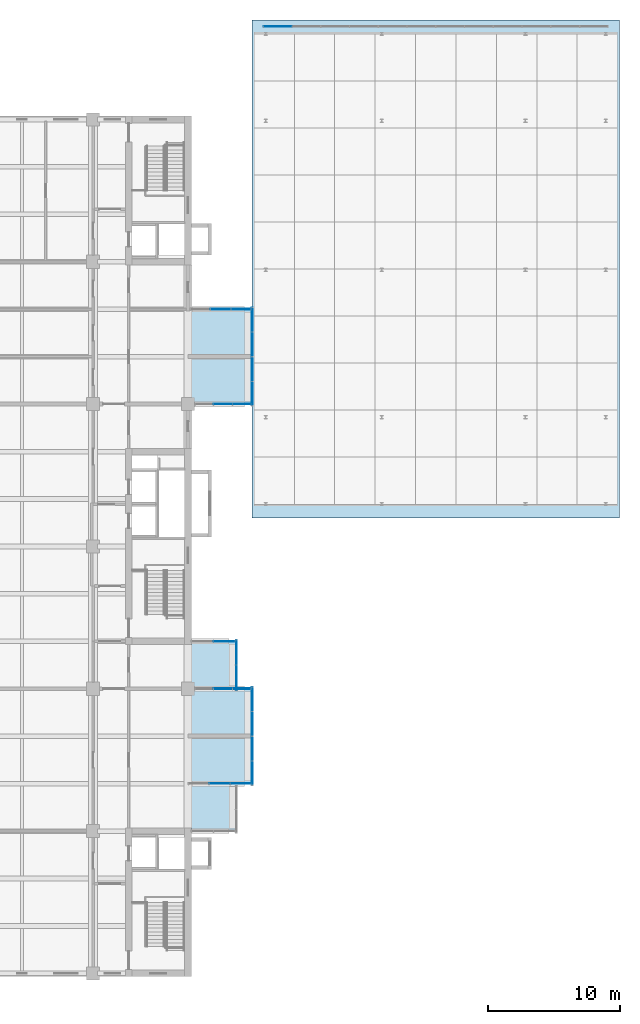
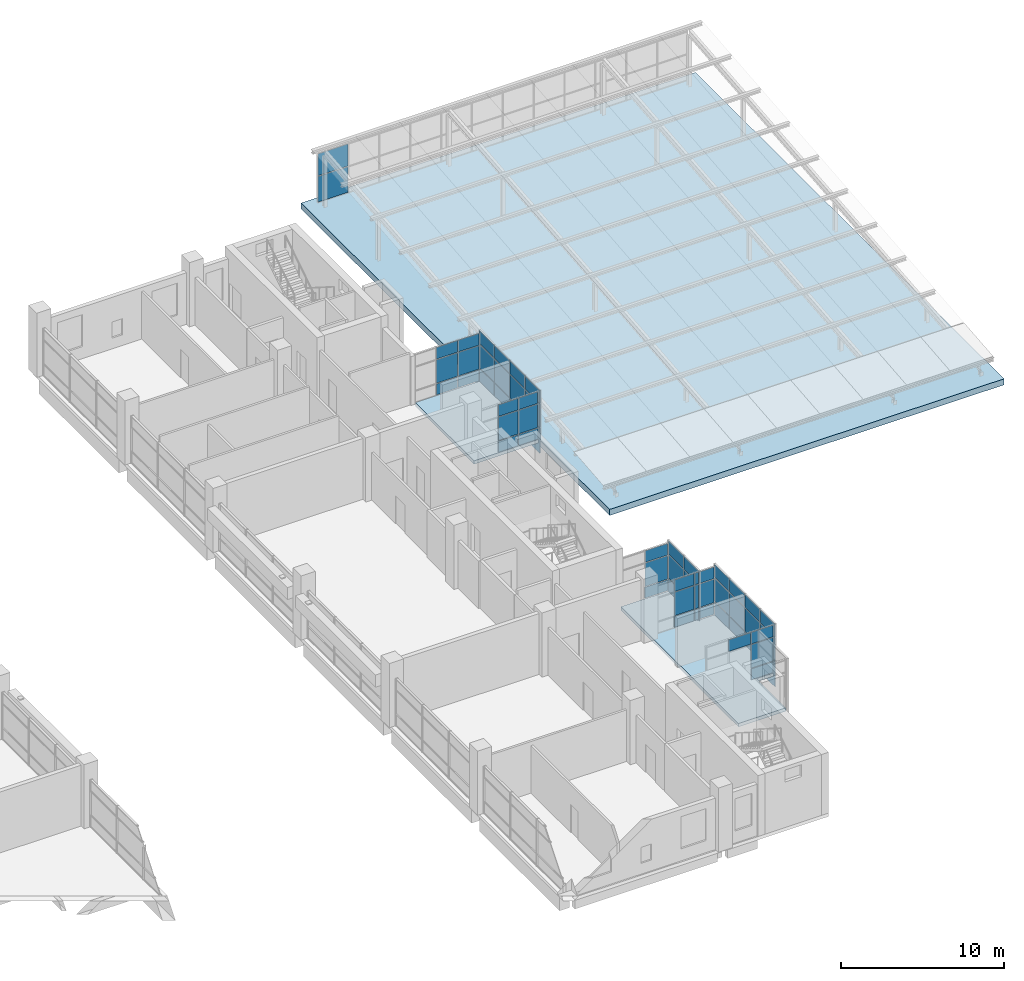
# One storey, part 33 of 44: 57 plates, 3 slabs, 9 elements without a shape of their own.
"""IFC4 building model written with IfcOpenShell, lengths in metres."""

from ifc_helpers import new_model, si_unit, direction, frame, origin, origin_2d, place, context, subcontext, project, spatial, polyline, rectangle, outline, extrude, material, layer, layer_set, type_object, element, aggregate, save


model = new_model("IFC4")

# Units and contexts
model_context = context("Model", 3, precision=1e-05, world=origin(), true_north=direction((0.0, 1.0)))
body_context = subcontext(model_context, "Body", "Model", "MODEL_VIEW")
ifc_project = project(units=[si_unit("LENGTHUNIT", "METRE"), si_unit("AREAUNIT", "SQUARE_METRE"), si_unit("VOLUMEUNIT", "CUBIC_METRE"), si_unit("PLANEANGLEUNIT", "RADIAN"), si_unit("MASSUNIT", "GRAM", prefix="KILO")], contexts=[model_context])

# Site, building, storey
site_placement = place(None, origin())
site = spatial("IfcSite", under=ifc_project, at=site_placement, CompositionType="ELEMENT")
building_placement = place(site_placement, origin())
building = spatial("IfcBuilding", under=site, at=building_placement, Name="Basin Gate Institute", CompositionType="ELEMENT")
storey_placement = place(building_placement, frame((0.0, 0.0, 27.0)))
storey = spatial("IfcBuildingStorey", under=building, at=storey_placement, Name="L05", CompositionType="ELEMENT", Elevation=27.0)

# Curtain wall, plates
ifc_material_1 = material(Name="Aluminium and glass curtain wall", Category="aluminium")
ifc_layer_1 = layer(ifc_material_1, 0.14990234375)
ifc_layer_set_1 = layer_set([ifc_layer_1], Name="Atrium curtain wall CW81")
curtain_wall_type_1 = type_object("IfcCurtainWallType", Name="Atrium curtain wall CW81", PredefinedType="NOTDEFINED", material=ifc_layer_set_1)
curtain_wall_1_placement = place(storey_placement, origin())
curtain_wall_1 = element("IfcCurtainWall", 1, at=curtain_wall_1_placement, inside=storey, type_object=curtain_wall_type_1, material=ifc_layer_set_1, Name="Clean block north clerestory glazing", PredefinedType="NOTDEFINED")
ifc_material_2 = material(Name="Toughened glass", Category="glass")
ifc_layer_2 = layer(ifc_material_2, 0.028076171875)
ifc_layer_set_2 = layer_set([ifc_layer_2], Name="Atrium glass panel PN81")
plate_type_1 = type_object("IfcPlateType", Name="Atrium glass panel PN81", PredefinedType="CURTAIN_PANEL", material=ifc_layer_set_2)
plate_1_placement = place(storey_placement, frame((125.606689453125, 106.949951171875, 0.06005859375), z_axis=(0.0, 0.0, 1.0), x_axis=(1.0, 0.0, 0.0)))
plate_1 = element("IfcPlate", 2, at=plate_1_placement, type_object=plate_type_1, material=ifc_layer_set_2, Name="CW81 panel 1.1", PredefinedType="CURTAIN_PANEL", context=body_context, shape_type="SweptSolid", body=[
    extrude(rectangle(XDim=2.09326171875, YDim=0.028076171875, at=origin_2d()), origin(), (0.0, 0.0, 1.0), 1.909912109375),
])
plate_2_placement = place(storey_placement, frame((125.606689453125, 106.949951171875, 2.030029296875), z_axis=(0.0, 0.0, 1.0), x_axis=(1.0, 0.0, 0.0)))
plate_2 = element("IfcPlate", 3, at=plate_2_placement, type_object=plate_type_1, material=ifc_layer_set_2, Name="CW81 panel 1.2", PredefinedType="CURTAIN_PANEL", context=body_context, shape_type="SweptSolid", body=[
    extrude(rectangle(XDim=2.09326171875, YDim=0.028076171875, at=origin_2d()), origin(), (0.0, 0.0, 1.0), 1.6396484375),
])
aggregate(curtain_wall_1, [plate_1, plate_2])

# Slabs
ifc_material_3 = material(Name="Concrete 40 MPa", Category="concrete")
ifc_layer_3 = layer(ifc_material_3, 0.449951171875)
ifc_layer_set_3 = layer_set([ifc_layer_3], Name="Concrete 40 MPa")
slab_type_1 = type_object("IfcSlabType", Name="Slab RS81 R120", PredefinedType="ROOF", material=ifc_layer_set_3)
slab_1_placement = place(storey_placement, frame((0.0, 0.0, -0.449951171875)))
element("IfcSlab", 4, at=slab_1_placement, inside=storey, type_object=slab_type_1, material=ifc_layer_set_3, Name="Clean block roof slab R120 L05", PredefinedType="ROOF", context=body_context, shape_type="SweptSolid", body=[
    extrude(outline(polyline([(123.64990234375, 69.64990234375), (151.550048828125, 69.64990234375), (151.550048828125, 107.449951171875), (123.64990234375, 107.449951171875), (123.64990234375, 69.64990234375)])), origin(), (0.0, 0.0, 1.0), 0.449951171875),
])
ifc_material_4 = material(Name="Concrete 40 MPa", Category="concrete")
ifc_layer_4 = layer(ifc_material_4, 0.25)
ifc_layer_set_4 = layer_set([ifc_layer_4], Name="Concrete 40 MPa")
slab_type_2 = type_object("IfcSlabType", Name="Slab SL4 R120", PredefinedType="FLOOR", material=ifc_layer_set_4)
slab_2_placement = place(storey_placement, frame((0.0, 0.0, -0.25)))
element("IfcSlab", 5, at=slab_2_placement, inside=storey, type_object=slab_type_2, material=ifc_layer_set_4, Name="SLAB/L05/EK11", PredefinedType="FLOOR", context=body_context, shape_type="SweptSolid", body=[
    extrude(outline(polyline([(119.050048828125, 45.89990234375), (119.050048828125, 60.300048828125), (122.39990234375, 60.300048828125), (122.39990234375, 56.699951171875), (123.60009765625, 56.699951171875), (123.60009765625, 49.5), (122.39990234375, 49.5), (122.39990234375, 45.89990234375), (119.050048828125, 45.89990234375)])), origin(), (0.0, 0.0, 1.0), 0.25),
])
slab_3_placement = place(storey_placement, frame((0.0, 0.0, -0.25)))
element("IfcSlab", 6, at=slab_3_placement, inside=storey, type_object=slab_type_2, material=ifc_layer_set_4, Name="SLAB/L05/EK22", PredefinedType="FLOOR", context=body_context, shape_type="SweptSolid", body=[
    extrude(outline(polyline([(123.60009765625, 78.300048828125), (119.050048828125, 78.300048828125), (119.050048828125, 85.5), (123.60009765625, 85.5), (123.60009765625, 78.300048828125)])), origin(), (0.0, 0.0, 1.0), 0.25),
])

# Curtain wall, plate
ifc_material_5 = material(Name="Aluminium-framed glazing", Category="aluminium")
ifc_layer_5 = layer(ifc_material_5, 0.14990234375)
ifc_layer_set_5 = layer_set([ifc_layer_5], Name="Capsule front curtain wall CW1")
curtain_wall_type_2 = type_object("IfcCurtainWallType", Name="Capsule front curtain wall CW1", PredefinedType="NOTDEFINED", material=ifc_layer_set_5)
curtain_wall_2_placement = place(storey_placement, origin())
curtain_wall_2 = element("IfcCurtainWall", 7, at=curtain_wall_2_placement, inside=storey, type_object=curtain_wall_type_2, material=ifc_layer_set_5, Name="Capsule front curtain wall E wing capsule end L05 line 5", PredefinedType="NOTDEFINED")
ifc_material_6 = material(Name="Aluminium insulated spandrel panel", Category="aluminium")
ifc_layer_6 = layer(ifc_material_6, 0.050048828125)
ifc_layer_set_6 = layer_set([ifc_layer_6], Name="Spandrel panel PN2")
plate_type_2 = type_object("IfcPlateType", Name="Spandrel panel PN2", PredefinedType="CURTAIN_PANEL", material=ifc_layer_set_6)
plate_3_placement = place(storey_placement, frame((122.78759765625, 49.5, 0.06005859375), z_axis=(0.0, 0.0, 1.0), x_axis=(-1.0, 0.0, 0.0)))
plate_3 = element("IfcPlate", 8, at=plate_3_placement, type_object=plate_type_2, material=ifc_layer_set_6, Name="CW1 spandrel panel 1.1", PredefinedType="CURTAIN_PANEL", context=body_context, shape_type="SweptSolid", body=[
    extrude(rectangle(XDim=1.52490234375, YDim=0.050048828125, at=origin_2d()), origin(), (0.0, 0.0, 1.0), 0.81005859375),
])

# Curtain wall, plates
curtain_wall_3_placement = place(storey_placement, origin())
curtain_wall_3 = element("IfcCurtainWall", 9, at=curtain_wall_3_placement, inside=storey, type_object=curtain_wall_type_2, material=ifc_layer_set_5, Name="Capsule front curtain wall E wing capsule end L05 line 7", PredefinedType="NOTDEFINED")
plate_4_placement = place(storey_placement, frame((122.870849609375, 56.699951171875, 0.06005859375), z_axis=(0.0, 0.0, 1.0), x_axis=(-1.0, 0.0, 0.0)))
plate_4 = element("IfcPlate", 10, at=plate_4_placement, type_object=plate_type_2, material=ifc_layer_set_6, Name="CW1 spandrel panel 1.1", PredefinedType="CURTAIN_PANEL", context=body_context, shape_type="SweptSolid", body=[
    extrude(rectangle(XDim=1.3583984375, YDim=0.050048828125, at=origin_2d()), origin(), (0.0, 0.0, 1.0), 0.81005859375),
])
plate_5_placement = place(storey_placement, frame((121.449951171875, 56.699951171875, 0.06005859375), z_axis=(0.0, 0.0, 1.0), x_axis=(-1.0, 0.0, 0.0)))
plate_5 = element("IfcPlate", 11, at=plate_5_placement, type_object=plate_type_2, material=ifc_layer_set_6, Name="CW1 spandrel panel 2.1", PredefinedType="CURTAIN_PANEL", context=body_context, shape_type="SweptSolid", body=[
    extrude(rectangle(XDim=1.38330078125, YDim=0.050048828125, at=origin_2d()), origin(), (0.0, 0.0, 1.0), 0.81005859375),
])

# Curtain wall, plate
curtain_wall_4_placement = place(storey_placement, origin())
curtain_wall_4 = element("IfcCurtainWall", 12, at=curtain_wall_4_placement, inside=storey, type_object=curtain_wall_type_2, material=ifc_layer_set_5, Name="Capsule front curtain wall E wing capsule end L05 line 8", PredefinedType="NOTDEFINED")
plate_6_placement = place(storey_placement, frame((121.550048828125, 60.300048828125, 0.06005859375), z_axis=(0.0, 0.0, 1.0), x_axis=(-1.0, 0.0, 0.0)))
plate_6 = element("IfcPlate", 13, at=plate_6_placement, type_object=plate_type_2, material=ifc_layer_set_6, Name="CW1 spandrel panel 1.1", PredefinedType="CURTAIN_PANEL", context=body_context, shape_type="SweptSolid", body=[
    extrude(rectangle(XDim=1.60009765625, YDim=0.050048828125, at=origin_2d()), origin(), (0.0, 0.0, 1.0), 0.81005859375),
])

# Curtain wall, plates
curtain_wall_5_placement = place(storey_placement, origin())
curtain_wall_5 = element("IfcCurtainWall", 14, at=curtain_wall_5_placement, inside=storey, type_object=curtain_wall_type_2, material=ifc_layer_set_5, Name="Capsule front curtain wall E wing capsule end L05 line 13", PredefinedType="NOTDEFINED")
plate_7_placement = place(storey_placement, frame((122.870849609375, 78.300048828125, 0.06005859375), z_axis=(0.0, 0.0, 1.0), x_axis=(-1.0, 0.0, 0.0)))
plate_7 = element("IfcPlate", 15, at=plate_7_placement, type_object=plate_type_2, material=ifc_layer_set_6, Name="CW1 spandrel panel 1.1", PredefinedType="CURTAIN_PANEL", context=body_context, shape_type="SweptSolid", body=[
    extrude(rectangle(XDim=1.3583984375, YDim=0.050048828125, at=origin_2d()), origin(), (0.0, 0.0, 1.0), 0.81005859375),
])
plate_8_placement = place(storey_placement, frame((121.449951171875, 78.300048828125, 0.06005859375), z_axis=(0.0, 0.0, 1.0), x_axis=(-1.0, 0.0, 0.0)))
plate_8 = element("IfcPlate", 16, at=plate_8_placement, type_object=plate_type_2, material=ifc_layer_set_6, Name="CW1 spandrel panel 2.1", PredefinedType="CURTAIN_PANEL", context=body_context, shape_type="SweptSolid", body=[
    extrude(rectangle(XDim=1.38330078125, YDim=0.050048828125, at=origin_2d()), origin(), (0.0, 0.0, 1.0), 0.81005859375),
])

curtain_wall_6_placement = place(storey_placement, origin())
curtain_wall_6 = element("IfcCurtainWall", 17, at=curtain_wall_6_placement, inside=storey, type_object=curtain_wall_type_2, material=ifc_layer_set_5, Name="Capsule front curtain wall E wing capsule end L05 line 15", PredefinedType="NOTDEFINED")
plate_9_placement = place(storey_placement, frame((122.8125, 85.5, 0.06005859375), z_axis=(0.0, 0.0, 1.0), x_axis=(-1.0, 0.0, 0.0)))
plate_9 = element("IfcPlate", 18, at=plate_9_placement, type_object=plate_type_2, material=ifc_layer_set_6, Name="CW1 spandrel panel 1.1", PredefinedType="CURTAIN_PANEL", context=body_context, shape_type="SweptSolid", body=[
    extrude(rectangle(XDim=1.47509765625, YDim=0.050048828125, at=origin_2d()), origin(), (0.0, 0.0, 1.0), 0.81005859375),
])
plate_10_placement = place(storey_placement, frame((121.27490234375, 85.5, 0.06005859375), z_axis=(0.0, 0.0, 1.0), x_axis=(-1.0, 0.0, 0.0)))
plate_10 = element("IfcPlate", 19, at=plate_10_placement, type_object=plate_type_2, material=ifc_layer_set_6, Name="CW1 spandrel panel 2.1", PredefinedType="CURTAIN_PANEL", context=body_context, shape_type="SweptSolid", body=[
    extrude(rectangle(XDim=1.5, YDim=0.050048828125, at=origin_2d()), origin(), (0.0, 0.0, 1.0), 0.81005859375),
])

curtain_wall_7_placement = place(storey_placement, origin())
curtain_wall_7 = element("IfcCurtainWall", 20, at=curtain_wall_7_placement, inside=storey, type_object=curtain_wall_type_2, material=ifc_layer_set_5, Name="Capsule front curtain wall E wing capsule 1 L05 front 2", PredefinedType="NOTDEFINED")
plate_11_placement = place(storey_placement, frame((123.675048828125, 50.300048828125, -0.990234375), z_axis=(0.0, 0.0, 1.0), x_axis=(0.0, 1.0, 0.0)))
plate_11 = element("IfcPlate", 21, at=plate_11_placement, type_object=plate_type_2, material=ifc_layer_set_6, Name="CW1 spandrel panel 1.1", PredefinedType="CURTAIN_PANEL", context=body_context, shape_type="SweptSolid", body=[
    extrude(rectangle(XDim=1.800048828125, YDim=0.050048828125, at=origin_2d()), origin(), (0.0, 0.0, 1.0), 1.860107421875),
])
plate_12_placement = place(storey_placement, frame((123.675048828125, 52.16259765625, -0.990234375), z_axis=(0.0, 0.0, 1.0), x_axis=(0.0, 1.0, 0.0)))
plate_12 = element("IfcPlate", 22, at=plate_12_placement, type_object=plate_type_2, material=ifc_layer_set_6, Name="CW1 spandrel panel 2.1", PredefinedType="CURTAIN_PANEL", context=body_context, shape_type="SweptSolid", body=[
    extrude(rectangle(XDim=1.824951171875, YDim=0.050048828125, at=origin_2d()), origin(), (0.0, 0.0, 1.0), 1.860107421875),
])
plate_13_placement = place(storey_placement, frame((123.675048828125, 54.03759765625, -0.990234375), z_axis=(0.0, 0.0, 1.0), x_axis=(0.0, 1.0, 0.0)))
plate_13 = element("IfcPlate", 23, at=plate_13_placement, type_object=plate_type_2, material=ifc_layer_set_6, Name="CW1 spandrel panel 3.1", PredefinedType="CURTAIN_PANEL", context=body_context, shape_type="SweptSolid", body=[
    extrude(rectangle(XDim=1.824951171875, YDim=0.050048828125, at=origin_2d()), origin(), (0.0, 0.0, 1.0), 1.860107421875),
])
plate_14_placement = place(storey_placement, frame((123.675048828125, 55.89990234375, -0.990234375), z_axis=(0.0, 0.0, 1.0), x_axis=(0.0, 1.0, 0.0)))
plate_14 = element("IfcPlate", 24, at=plate_14_placement, type_object=plate_type_2, material=ifc_layer_set_6, Name="CW1 spandrel panel 4.1", PredefinedType="CURTAIN_PANEL", context=body_context, shape_type="SweptSolid", body=[
    extrude(rectangle(XDim=1.800048828125, YDim=0.050048828125, at=origin_2d()), origin(), (0.0, 0.0, 1.0), 1.860107421875),
])

curtain_wall_8_placement = place(storey_placement, origin())
curtain_wall_8 = element("IfcCurtainWall", 25, at=curtain_wall_8_placement, inside=storey, type_object=curtain_wall_type_2, material=ifc_layer_set_5, Name="Capsule front curtain wall E wing capsule 1 L05 front 4", PredefinedType="NOTDEFINED")
plate_15_placement = place(storey_placement, frame((122.47509765625, 57.53759765625, -0.990234375), z_axis=(0.0, 0.0, 1.0), x_axis=(0.0, 1.0, 0.0)))
plate_15 = element("IfcPlate", 26, at=plate_15_placement, type_object=plate_type_2, material=ifc_layer_set_6, Name="CW1 spandrel panel 1.1", PredefinedType="CURTAIN_PANEL", context=body_context, shape_type="SweptSolid", body=[
    extrude(rectangle(XDim=1.875, YDim=0.050048828125, at=origin_2d()), origin(), (0.0, 0.0, 1.0), 1.860107421875),
])
plate_16_placement = place(storey_placement, frame((122.47509765625, 59.46240234375, -0.990234375), z_axis=(0.0, 0.0, 1.0), x_axis=(0.0, 1.0, 0.0)))
plate_16 = element("IfcPlate", 27, at=plate_16_placement, type_object=plate_type_2, material=ifc_layer_set_6, Name="CW1 spandrel panel 2.1", PredefinedType="CURTAIN_PANEL", context=body_context, shape_type="SweptSolid", body=[
    extrude(rectangle(XDim=1.875, YDim=0.050048828125, at=origin_2d()), origin(), (0.0, 0.0, 1.0), 1.860107421875),
])

curtain_wall_9_placement = place(storey_placement, origin())
curtain_wall_9 = element("IfcCurtainWall", 28, at=curtain_wall_9_placement, inside=storey, type_object=curtain_wall_type_2, material=ifc_layer_set_5, Name="Capsule front curtain wall E wing capsule 2 L05 front 2", PredefinedType="NOTDEFINED")
plate_17_placement = place(storey_placement, frame((123.675048828125, 79.10009765625, -0.990234375), z_axis=(0.0, 0.0, 1.0), x_axis=(0.0, 1.0, 0.0)))
plate_17 = element("IfcPlate", 29, at=plate_17_placement, type_object=plate_type_2, material=ifc_layer_set_6, Name="CW1 spandrel panel 1.1", PredefinedType="CURTAIN_PANEL", context=body_context, shape_type="SweptSolid", body=[
    extrude(rectangle(XDim=1.800048828125, YDim=0.050048828125, at=origin_2d()), origin(), (0.0, 0.0, 1.0), 1.860107421875),
])
plate_18_placement = place(storey_placement, frame((123.675048828125, 80.96240234375, -0.990234375), z_axis=(0.0, 0.0, 1.0), x_axis=(0.0, 1.0, 0.0)))
plate_18 = element("IfcPlate", 30, at=plate_18_placement, type_object=plate_type_2, material=ifc_layer_set_6, Name="CW1 spandrel panel 2.1", PredefinedType="CURTAIN_PANEL", context=body_context, shape_type="SweptSolid", body=[
    extrude(rectangle(XDim=1.824951171875, YDim=0.050048828125, at=origin_2d()), origin(), (0.0, 0.0, 1.0), 1.860107421875),
])
plate_19_placement = place(storey_placement, frame((123.675048828125, 82.83740234375, -0.990234375), z_axis=(0.0, 0.0, 1.0), x_axis=(0.0, 1.0, 0.0)))
plate_19 = element("IfcPlate", 31, at=plate_19_placement, type_object=plate_type_2, material=ifc_layer_set_6, Name="CW1 spandrel panel 3.1", PredefinedType="CURTAIN_PANEL", context=body_context, shape_type="SweptSolid", body=[
    extrude(rectangle(XDim=1.824951171875, YDim=0.050048828125, at=origin_2d()), origin(), (0.0, 0.0, 1.0), 1.860107421875),
])
plate_20_placement = place(storey_placement, frame((123.675048828125, 84.699951171875, -0.990234375), z_axis=(0.0, 0.0, 1.0), x_axis=(0.0, 1.0, 0.0)))
plate_20 = element("IfcPlate", 32, at=plate_20_placement, type_object=plate_type_2, material=ifc_layer_set_6, Name="CW1 spandrel panel 4.1", PredefinedType="CURTAIN_PANEL", context=body_context, shape_type="SweptSolid", body=[
    extrude(rectangle(XDim=1.800048828125, YDim=0.050048828125, at=origin_2d()), origin(), (0.0, 0.0, 1.0), 1.860107421875),
])

# Plate
ifc_material_7 = material(Name="Double glazed unit")
ifc_layer_7 = layer(ifc_material_7, 0.028076171875)
ifc_layer_set_7 = layer_set([ifc_layer_7], Name="Vision panel PN1")
plate_type_3 = type_object("IfcPlateType", Name="Vision panel PN1", PredefinedType="CURTAIN_PANEL", material=ifc_layer_set_7)
plate_21_placement = place(storey_placement, frame((122.78759765625, 49.5, 0.93017578125), z_axis=(0.0, 0.0, 1.0), x_axis=(-1.0, 0.0, 0.0)))
plate_21 = element("IfcPlate", 33, at=plate_21_placement, type_object=plate_type_3, material=ifc_layer_set_7, Name="CW1 vision panel 1.2", PredefinedType="CURTAIN_PANEL", context=body_context, shape_type="SweptSolid", body=[
    extrude(rectangle(XDim=1.52490234375, YDim=0.028076171875, at=origin_2d()), origin(), (0.0, 0.0, 1.0), 1.739990234375),
])

plate_22_placement = place(storey_placement, frame((122.78759765625, 49.5, 2.72998046875), z_axis=(0.0, 0.0, 1.0), x_axis=(-1.0, 0.0, 0.0)))
plate_22 = element("IfcPlate", 34, at=plate_22_placement, type_object=plate_type_3, material=ifc_layer_set_7, Name="CW1 vision panel 1.3", PredefinedType="CURTAIN_PANEL", context=body_context, shape_type="SweptSolid", body=[
    extrude(rectangle(XDim=1.52490234375, YDim=0.028076171875, at=origin_2d()), origin(), (0.0, 0.0, 1.0), 0.860107421875),
])

plate_23_placement = place(storey_placement, frame((121.199951171875, 49.5, 2.72998046875), z_axis=(0.0, 0.0, 1.0), x_axis=(-1.0, 0.0, 0.0)))
plate_23 = element("IfcPlate", 35, at=plate_23_placement, type_object=plate_type_3, material=ifc_layer_set_7, Name="CW1 vision panel 2.3", PredefinedType="CURTAIN_PANEL", context=body_context, shape_type="SweptSolid", body=[
    extrude(rectangle(XDim=1.550048828125, YDim=0.028076171875, at=origin_2d()), origin(), (0.0, 0.0, 1.0), 0.860107421875),
])

aggregate(curtain_wall_2, [plate_3, plate_21, plate_22, plate_23])

plate_24_placement = place(storey_placement, frame((122.870849609375, 56.699951171875, 0.93017578125), z_axis=(0.0, 0.0, 1.0), x_axis=(-1.0, 0.0, 0.0)))
plate_24 = element("IfcPlate", 36, at=plate_24_placement, type_object=plate_type_3, material=ifc_layer_set_7, Name="CW1 vision panel 1.2", PredefinedType="CURTAIN_PANEL", context=body_context, shape_type="SweptSolid", body=[
    extrude(rectangle(XDim=1.3583984375, YDim=0.028076171875, at=origin_2d()), origin(), (0.0, 0.0, 1.0), 1.739990234375),
])

plate_25_placement = place(storey_placement, frame((122.870849609375, 56.699951171875, 2.72998046875), z_axis=(0.0, 0.0, 1.0), x_axis=(-1.0, 0.0, 0.0)))
plate_25 = element("IfcPlate", 37, at=plate_25_placement, type_object=plate_type_3, material=ifc_layer_set_7, Name="CW1 vision panel 1.3", PredefinedType="CURTAIN_PANEL", context=body_context, shape_type="SweptSolid", body=[
    extrude(rectangle(XDim=1.3583984375, YDim=0.028076171875, at=origin_2d()), origin(), (0.0, 0.0, 1.0), 0.860107421875),
])

plate_26_placement = place(storey_placement, frame((121.449951171875, 56.699951171875, 0.93017578125), z_axis=(0.0, 0.0, 1.0), x_axis=(-1.0, 0.0, 0.0)))
plate_26 = element("IfcPlate", 38, at=plate_26_placement, type_object=plate_type_3, material=ifc_layer_set_7, Name="CW1 vision panel 2.2", PredefinedType="CURTAIN_PANEL", context=body_context, shape_type="SweptSolid", body=[
    extrude(rectangle(XDim=1.38330078125, YDim=0.028076171875, at=origin_2d()), origin(), (0.0, 0.0, 1.0), 1.739990234375),
])

plate_27_placement = place(storey_placement, frame((121.449951171875, 56.699951171875, 2.72998046875), z_axis=(0.0, 0.0, 1.0), x_axis=(-1.0, 0.0, 0.0)))
plate_27 = element("IfcPlate", 39, at=plate_27_placement, type_object=plate_type_3, material=ifc_layer_set_7, Name="CW1 vision panel 2.3", PredefinedType="CURTAIN_PANEL", context=body_context, shape_type="SweptSolid", body=[
    extrude(rectangle(XDim=1.38330078125, YDim=0.028076171875, at=origin_2d()), origin(), (0.0, 0.0, 1.0), 0.860107421875),
])

aggregate(curtain_wall_3, [plate_4, plate_24, plate_25, plate_5, plate_26, plate_27])

plate_28_placement = place(storey_placement, frame((121.550048828125, 60.300048828125, 0.93017578125), z_axis=(0.0, 0.0, 1.0), x_axis=(-1.0, 0.0, 0.0)))
plate_28 = element("IfcPlate", 40, at=plate_28_placement, type_object=plate_type_3, material=ifc_layer_set_7, Name="CW1 vision panel 1.2", PredefinedType="CURTAIN_PANEL", context=body_context, shape_type="SweptSolid", body=[
    extrude(rectangle(XDim=1.60009765625, YDim=0.028076171875, at=origin_2d()), origin(), (0.0, 0.0, 1.0), 1.739990234375),
])

plate_29_placement = place(storey_placement, frame((121.550048828125, 60.300048828125, 2.72998046875), z_axis=(0.0, 0.0, 1.0), x_axis=(-1.0, 0.0, 0.0)))
plate_29 = element("IfcPlate", 41, at=plate_29_placement, type_object=plate_type_3, material=ifc_layer_set_7, Name="CW1 vision panel 1.3", PredefinedType="CURTAIN_PANEL", context=body_context, shape_type="SweptSolid", body=[
    extrude(rectangle(XDim=1.60009765625, YDim=0.028076171875, at=origin_2d()), origin(), (0.0, 0.0, 1.0), 0.860107421875),
])

aggregate(curtain_wall_4, [plate_6, plate_28, plate_29])

plate_30_placement = place(storey_placement, frame((122.870849609375, 78.300048828125, 0.93017578125), z_axis=(0.0, 0.0, 1.0), x_axis=(-1.0, 0.0, 0.0)))
plate_30 = element("IfcPlate", 42, at=plate_30_placement, type_object=plate_type_3, material=ifc_layer_set_7, Name="CW1 vision panel 1.2", PredefinedType="CURTAIN_PANEL", context=body_context, shape_type="SweptSolid", body=[
    extrude(rectangle(XDim=1.3583984375, YDim=0.028076171875, at=origin_2d()), origin(), (0.0, 0.0, 1.0), 1.739990234375),
])

plate_31_placement = place(storey_placement, frame((122.870849609375, 78.300048828125, 2.72998046875), z_axis=(0.0, 0.0, 1.0), x_axis=(-1.0, 0.0, 0.0)))
plate_31 = element("IfcPlate", 43, at=plate_31_placement, type_object=plate_type_3, material=ifc_layer_set_7, Name="CW1 vision panel 1.3", PredefinedType="CURTAIN_PANEL", context=body_context, shape_type="SweptSolid", body=[
    extrude(rectangle(XDim=1.3583984375, YDim=0.028076171875, at=origin_2d()), origin(), (0.0, 0.0, 1.0), 0.860107421875),
])

plate_32_placement = place(storey_placement, frame((121.449951171875, 78.300048828125, 0.93017578125), z_axis=(0.0, 0.0, 1.0), x_axis=(-1.0, 0.0, 0.0)))
plate_32 = element("IfcPlate", 44, at=plate_32_placement, type_object=plate_type_3, material=ifc_layer_set_7, Name="CW1 vision panel 2.2", PredefinedType="CURTAIN_PANEL", context=body_context, shape_type="SweptSolid", body=[
    extrude(rectangle(XDim=1.38330078125, YDim=0.028076171875, at=origin_2d()), origin(), (0.0, 0.0, 1.0), 1.739990234375),
])

plate_33_placement = place(storey_placement, frame((121.449951171875, 78.300048828125, 2.72998046875), z_axis=(0.0, 0.0, 1.0), x_axis=(-1.0, 0.0, 0.0)))
plate_33 = element("IfcPlate", 45, at=plate_33_placement, type_object=plate_type_3, material=ifc_layer_set_7, Name="CW1 vision panel 2.3", PredefinedType="CURTAIN_PANEL", context=body_context, shape_type="SweptSolid", body=[
    extrude(rectangle(XDim=1.38330078125, YDim=0.028076171875, at=origin_2d()), origin(), (0.0, 0.0, 1.0), 0.860107421875),
])

aggregate(curtain_wall_5, [plate_7, plate_30, plate_31, plate_8, plate_32, plate_33])

plate_34_placement = place(storey_placement, frame((122.8125, 85.5, 0.93017578125), z_axis=(0.0, 0.0, 1.0), x_axis=(-1.0, 0.0, 0.0)))
plate_34 = element("IfcPlate", 46, at=plate_34_placement, type_object=plate_type_3, material=ifc_layer_set_7, Name="CW1 vision panel 1.2", PredefinedType="CURTAIN_PANEL", context=body_context, shape_type="SweptSolid", body=[
    extrude(rectangle(XDim=1.47509765625, YDim=0.028076171875, at=origin_2d()), origin(), (0.0, 0.0, 1.0), 1.739990234375),
])

plate_35_placement = place(storey_placement, frame((122.8125, 85.5, 2.72998046875), z_axis=(0.0, 0.0, 1.0), x_axis=(-1.0, 0.0, 0.0)))
plate_35 = element("IfcPlate", 47, at=plate_35_placement, type_object=plate_type_3, material=ifc_layer_set_7, Name="CW1 vision panel 1.3", PredefinedType="CURTAIN_PANEL", context=body_context, shape_type="SweptSolid", body=[
    extrude(rectangle(XDim=1.47509765625, YDim=0.028076171875, at=origin_2d()), origin(), (0.0, 0.0, 1.0), 0.860107421875),
])

plate_36_placement = place(storey_placement, frame((121.27490234375, 85.5, 0.93017578125), z_axis=(0.0, 0.0, 1.0), x_axis=(-1.0, 0.0, 0.0)))
plate_36 = element("IfcPlate", 48, at=plate_36_placement, type_object=plate_type_3, material=ifc_layer_set_7, Name="CW1 vision panel 2.2", PredefinedType="CURTAIN_PANEL", context=body_context, shape_type="SweptSolid", body=[
    extrude(rectangle(XDim=1.5, YDim=0.028076171875, at=origin_2d()), origin(), (0.0, 0.0, 1.0), 1.739990234375),
])

plate_37_placement = place(storey_placement, frame((121.27490234375, 85.5, 2.72998046875), z_axis=(0.0, 0.0, 1.0), x_axis=(-1.0, 0.0, 0.0)))
plate_37 = element("IfcPlate", 49, at=plate_37_placement, type_object=plate_type_3, material=ifc_layer_set_7, Name="CW1 vision panel 2.3", PredefinedType="CURTAIN_PANEL", context=body_context, shape_type="SweptSolid", body=[
    extrude(rectangle(XDim=1.5, YDim=0.028076171875, at=origin_2d()), origin(), (0.0, 0.0, 1.0), 0.860107421875),
])

aggregate(curtain_wall_6, [plate_9, plate_34, plate_35, plate_10, plate_36, plate_37])

plate_38_placement = place(storey_placement, frame((123.675048828125, 50.300048828125, 0.93017578125), z_axis=(0.0, 0.0, 1.0), x_axis=(0.0, 1.0, 0.0)))
plate_38 = element("IfcPlate", 50, at=plate_38_placement, type_object=plate_type_3, material=ifc_layer_set_7, Name="CW1 vision panel 1.2", PredefinedType="CURTAIN_PANEL", context=body_context, shape_type="SweptSolid", body=[
    extrude(rectangle(XDim=1.800048828125, YDim=0.028076171875, at=origin_2d()), origin(), (0.0, 0.0, 1.0), 1.739990234375),
])

plate_39_placement = place(storey_placement, frame((123.675048828125, 50.300048828125, 2.72998046875), z_axis=(0.0, 0.0, 1.0), x_axis=(0.0, 1.0, 0.0)))
plate_39 = element("IfcPlate", 51, at=plate_39_placement, type_object=plate_type_3, material=ifc_layer_set_7, Name="CW1 vision panel 1.3", PredefinedType="CURTAIN_PANEL", context=body_context, shape_type="SweptSolid", body=[
    extrude(rectangle(XDim=1.800048828125, YDim=0.028076171875, at=origin_2d()), origin(), (0.0, 0.0, 1.0), 0.9599609375),
])

plate_40_placement = place(storey_placement, frame((123.675048828125, 52.16259765625, 0.93017578125), z_axis=(0.0, 0.0, 1.0), x_axis=(0.0, 1.0, 0.0)))
plate_40 = element("IfcPlate", 52, at=plate_40_placement, type_object=plate_type_3, material=ifc_layer_set_7, Name="CW1 vision panel 2.2", PredefinedType="CURTAIN_PANEL", context=body_context, shape_type="SweptSolid", body=[
    extrude(rectangle(XDim=1.824951171875, YDim=0.028076171875, at=origin_2d()), origin(), (0.0, 0.0, 1.0), 1.739990234375),
])

plate_41_placement = place(storey_placement, frame((123.675048828125, 52.16259765625, 2.72998046875), z_axis=(0.0, 0.0, 1.0), x_axis=(0.0, 1.0, 0.0)))
plate_41 = element("IfcPlate", 53, at=plate_41_placement, type_object=plate_type_3, material=ifc_layer_set_7, Name="CW1 vision panel 2.3", PredefinedType="CURTAIN_PANEL", context=body_context, shape_type="SweptSolid", body=[
    extrude(rectangle(XDim=1.824951171875, YDim=0.028076171875, at=origin_2d()), origin(), (0.0, 0.0, 1.0), 0.9599609375),
])

plate_42_placement = place(storey_placement, frame((123.675048828125, 54.03759765625, 0.93017578125), z_axis=(0.0, 0.0, 1.0), x_axis=(0.0, 1.0, 0.0)))
plate_42 = element("IfcPlate", 54, at=plate_42_placement, type_object=plate_type_3, material=ifc_layer_set_7, Name="CW1 vision panel 3.2", PredefinedType="CURTAIN_PANEL", context=body_context, shape_type="SweptSolid", body=[
    extrude(rectangle(XDim=1.824951171875, YDim=0.028076171875, at=origin_2d()), origin(), (0.0, 0.0, 1.0), 1.739990234375),
])

plate_43_placement = place(storey_placement, frame((123.675048828125, 54.03759765625, 2.72998046875), z_axis=(0.0, 0.0, 1.0), x_axis=(0.0, 1.0, 0.0)))
plate_43 = element("IfcPlate", 55, at=plate_43_placement, type_object=plate_type_3, material=ifc_layer_set_7, Name="CW1 vision panel 3.3", PredefinedType="CURTAIN_PANEL", context=body_context, shape_type="SweptSolid", body=[
    extrude(rectangle(XDim=1.824951171875, YDim=0.028076171875, at=origin_2d()), origin(), (0.0, 0.0, 1.0), 0.9599609375),
])

plate_44_placement = place(storey_placement, frame((123.675048828125, 55.89990234375, 0.93017578125), z_axis=(0.0, 0.0, 1.0), x_axis=(0.0, 1.0, 0.0)))
plate_44 = element("IfcPlate", 56, at=plate_44_placement, type_object=plate_type_3, material=ifc_layer_set_7, Name="CW1 vision panel 4.2", PredefinedType="CURTAIN_PANEL", context=body_context, shape_type="SweptSolid", body=[
    extrude(rectangle(XDim=1.800048828125, YDim=0.028076171875, at=origin_2d()), origin(), (0.0, 0.0, 1.0), 1.739990234375),
])

plate_45_placement = place(storey_placement, frame((123.675048828125, 55.89990234375, 2.72998046875), z_axis=(0.0, 0.0, 1.0), x_axis=(0.0, 1.0, 0.0)))
plate_45 = element("IfcPlate", 57, at=plate_45_placement, type_object=plate_type_3, material=ifc_layer_set_7, Name="CW1 vision panel 4.3", PredefinedType="CURTAIN_PANEL", context=body_context, shape_type="SweptSolid", body=[
    extrude(rectangle(XDim=1.800048828125, YDim=0.028076171875, at=origin_2d()), origin(), (0.0, 0.0, 1.0), 0.9599609375),
])

aggregate(curtain_wall_7, [plate_11, plate_38, plate_39, plate_12, plate_40, plate_41, plate_13, plate_42, plate_43, plate_14, plate_44, plate_45])

plate_46_placement = place(storey_placement, frame((122.47509765625, 57.53759765625, 0.93017578125), z_axis=(0.0, 0.0, 1.0), x_axis=(0.0, 1.0, 0.0)))
plate_46 = element("IfcPlate", 58, at=plate_46_placement, type_object=plate_type_3, material=ifc_layer_set_7, Name="CW1 vision panel 1.2", PredefinedType="CURTAIN_PANEL", context=body_context, shape_type="SweptSolid", body=[
    extrude(rectangle(XDim=1.875, YDim=0.028076171875, at=origin_2d()), origin(), (0.0, 0.0, 1.0), 1.739990234375),
])

plate_47_placement = place(storey_placement, frame((122.47509765625, 57.53759765625, 2.72998046875), z_axis=(0.0, 0.0, 1.0), x_axis=(0.0, 1.0, 0.0)))
plate_47 = element("IfcPlate", 59, at=plate_47_placement, type_object=plate_type_3, material=ifc_layer_set_7, Name="CW1 vision panel 1.3", PredefinedType="CURTAIN_PANEL", context=body_context, shape_type="SweptSolid", body=[
    extrude(rectangle(XDim=1.875, YDim=0.028076171875, at=origin_2d()), origin(), (0.0, 0.0, 1.0), 0.9599609375),
])

plate_48_placement = place(storey_placement, frame((122.47509765625, 59.46240234375, 0.93017578125), z_axis=(0.0, 0.0, 1.0), x_axis=(0.0, 1.0, 0.0)))
plate_48 = element("IfcPlate", 60, at=plate_48_placement, type_object=plate_type_3, material=ifc_layer_set_7, Name="CW1 vision panel 2.2", PredefinedType="CURTAIN_PANEL", context=body_context, shape_type="SweptSolid", body=[
    extrude(rectangle(XDim=1.875, YDim=0.028076171875, at=origin_2d()), origin(), (0.0, 0.0, 1.0), 1.739990234375),
])

plate_49_placement = place(storey_placement, frame((122.47509765625, 59.46240234375, 2.72998046875), z_axis=(0.0, 0.0, 1.0), x_axis=(0.0, 1.0, 0.0)))
plate_49 = element("IfcPlate", 61, at=plate_49_placement, type_object=plate_type_3, material=ifc_layer_set_7, Name="CW1 vision panel 2.3", PredefinedType="CURTAIN_PANEL", context=body_context, shape_type="SweptSolid", body=[
    extrude(rectangle(XDim=1.875, YDim=0.028076171875, at=origin_2d()), origin(), (0.0, 0.0, 1.0), 0.9599609375),
])

aggregate(curtain_wall_8, [plate_15, plate_46, plate_47, plate_16, plate_48, plate_49])

plate_50_placement = place(storey_placement, frame((123.675048828125, 79.10009765625, 0.93017578125), z_axis=(0.0, 0.0, 1.0), x_axis=(0.0, 1.0, 0.0)))
plate_50 = element("IfcPlate", 62, at=plate_50_placement, type_object=plate_type_3, material=ifc_layer_set_7, Name="CW1 vision panel 1.2", PredefinedType="CURTAIN_PANEL", context=body_context, shape_type="SweptSolid", body=[
    extrude(rectangle(XDim=1.800048828125, YDim=0.028076171875, at=origin_2d()), origin(), (0.0, 0.0, 1.0), 1.739990234375),
])

plate_51_placement = place(storey_placement, frame((123.675048828125, 79.10009765625, 2.72998046875), z_axis=(0.0, 0.0, 1.0), x_axis=(0.0, 1.0, 0.0)))
plate_51 = element("IfcPlate", 63, at=plate_51_placement, type_object=plate_type_3, material=ifc_layer_set_7, Name="CW1 vision panel 1.3", PredefinedType="CURTAIN_PANEL", context=body_context, shape_type="SweptSolid", body=[
    extrude(rectangle(XDim=1.800048828125, YDim=0.028076171875, at=origin_2d()), origin(), (0.0, 0.0, 1.0), 0.9599609375),
])

plate_52_placement = place(storey_placement, frame((123.675048828125, 80.96240234375, 0.93017578125), z_axis=(0.0, 0.0, 1.0), x_axis=(0.0, 1.0, 0.0)))
plate_52 = element("IfcPlate", 64, at=plate_52_placement, type_object=plate_type_3, material=ifc_layer_set_7, Name="CW1 vision panel 2.2", PredefinedType="CURTAIN_PANEL", context=body_context, shape_type="SweptSolid", body=[
    extrude(rectangle(XDim=1.824951171875, YDim=0.028076171875, at=origin_2d()), origin(), (0.0, 0.0, 1.0), 1.739990234375),
])

plate_53_placement = place(storey_placement, frame((123.675048828125, 80.96240234375, 2.72998046875), z_axis=(0.0, 0.0, 1.0), x_axis=(0.0, 1.0, 0.0)))
plate_53 = element("IfcPlate", 65, at=plate_53_placement, type_object=plate_type_3, material=ifc_layer_set_7, Name="CW1 vision panel 2.3", PredefinedType="CURTAIN_PANEL", context=body_context, shape_type="SweptSolid", body=[
    extrude(rectangle(XDim=1.824951171875, YDim=0.028076171875, at=origin_2d()), origin(), (0.0, 0.0, 1.0), 0.9599609375),
])

plate_54_placement = place(storey_placement, frame((123.675048828125, 82.83740234375, 0.93017578125), z_axis=(0.0, 0.0, 1.0), x_axis=(0.0, 1.0, 0.0)))
plate_54 = element("IfcPlate", 66, at=plate_54_placement, type_object=plate_type_3, material=ifc_layer_set_7, Name="CW1 vision panel 3.2", PredefinedType="CURTAIN_PANEL", context=body_context, shape_type="SweptSolid", body=[
    extrude(rectangle(XDim=1.824951171875, YDim=0.028076171875, at=origin_2d()), origin(), (0.0, 0.0, 1.0), 1.739990234375),
])

plate_55_placement = place(storey_placement, frame((123.675048828125, 82.83740234375, 2.72998046875), z_axis=(0.0, 0.0, 1.0), x_axis=(0.0, 1.0, 0.0)))
plate_55 = element("IfcPlate", 67, at=plate_55_placement, type_object=plate_type_3, material=ifc_layer_set_7, Name="CW1 vision panel 3.3", PredefinedType="CURTAIN_PANEL", context=body_context, shape_type="SweptSolid", body=[
    extrude(rectangle(XDim=1.824951171875, YDim=0.028076171875, at=origin_2d()), origin(), (0.0, 0.0, 1.0), 0.9599609375),
])

plate_56_placement = place(storey_placement, frame((123.675048828125, 84.699951171875, 0.93017578125), z_axis=(0.0, 0.0, 1.0), x_axis=(0.0, 1.0, 0.0)))
plate_56 = element("IfcPlate", 68, at=plate_56_placement, type_object=plate_type_3, material=ifc_layer_set_7, Name="CW1 vision panel 4.2", PredefinedType="CURTAIN_PANEL", context=body_context, shape_type="SweptSolid", body=[
    extrude(rectangle(XDim=1.800048828125, YDim=0.028076171875, at=origin_2d()), origin(), (0.0, 0.0, 1.0), 1.739990234375),
])

plate_57_placement = place(storey_placement, frame((123.675048828125, 84.699951171875, 2.72998046875), z_axis=(0.0, 0.0, 1.0), x_axis=(0.0, 1.0, 0.0)))
plate_57 = element("IfcPlate", 69, at=plate_57_placement, type_object=plate_type_3, material=ifc_layer_set_7, Name="CW1 vision panel 4.3", PredefinedType="CURTAIN_PANEL", context=body_context, shape_type="SweptSolid", body=[
    extrude(rectangle(XDim=1.800048828125, YDim=0.028076171875, at=origin_2d()), origin(), (0.0, 0.0, 1.0), 0.9599609375),
])

aggregate(curtain_wall_9, [plate_17, plate_50, plate_51, plate_18, plate_52, plate_53, plate_19, plate_54, plate_55, plate_20, plate_56, plate_57])

save(model, "model.ifc")
